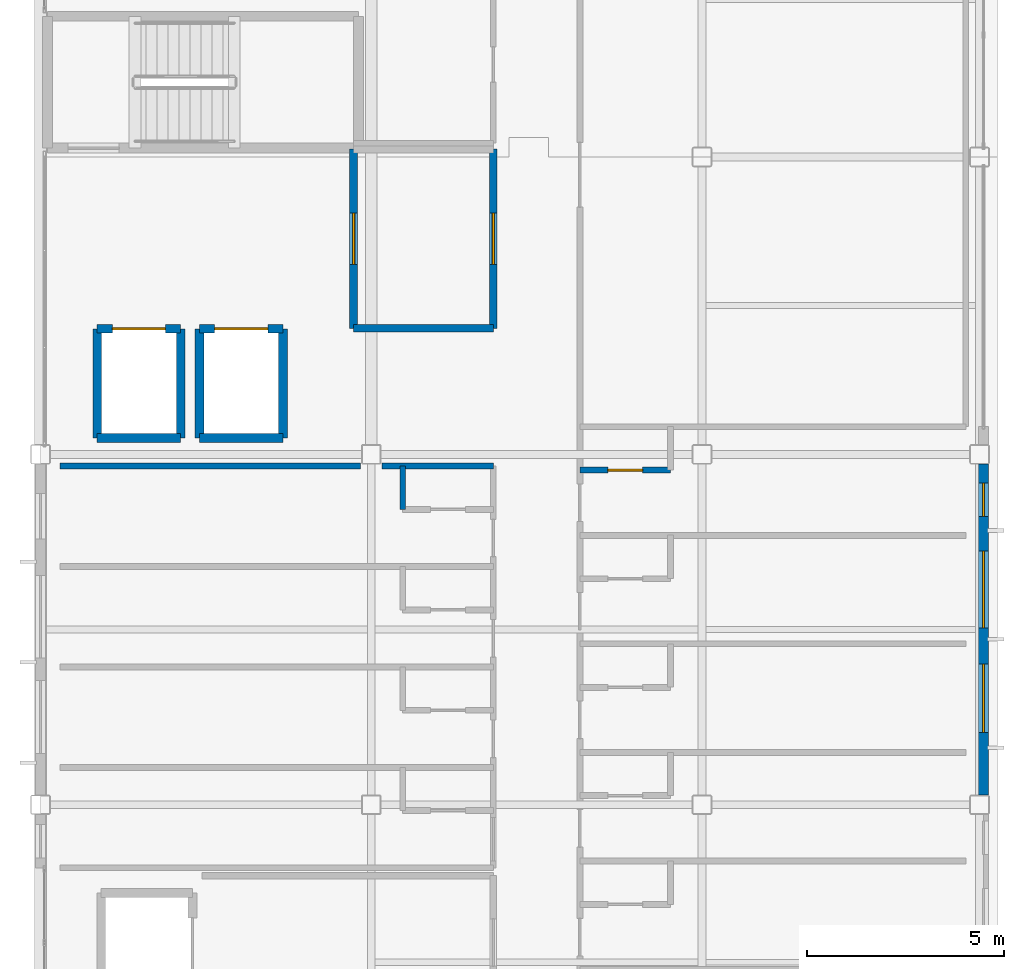
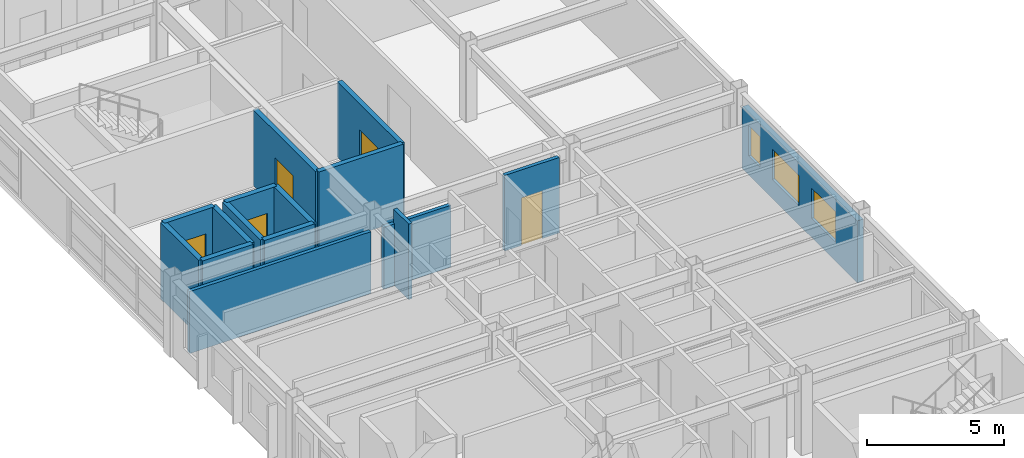
# One storey, part 26 of 35: 16 walls, 5 doors, 3 windows, 8 openings.
"""IFC4 building model written with IfcOpenShell, lengths in metres."""

import ifcopenshell
import ifcopenshell.guid

model = None  # the IFC model being written
_history = None  # IfcOwnerHistory: only IFC2X3 demands one
_inside = {}  # id of a spatial element -> (the spatial element, [elements in it])
_under = {}  # id of a project, library or spatial element -> (it, [spatial elements below it])
_declared = {}  # id of a project -> (the project, [libraries it declares])
_typed = {}  # id of a type object -> (the type object, [elements of that type])
_made_of = {}  # id of a material, layer set ... -> (it, [elements and type objects made of it])


def new_model(schema):
    """Start an empty IFC model of exactly this schema.

    Asked for "IFC4X3", IfcOpenShell would pick the latest addendum, in which some entities
    have other attributes; the version numbers below select the first issue.
    IFC2X3 requires an IfcOwnerHistory on every rooted entity: one is made here for all.
    """
    global model, _history
    if schema == "IFC4X3":
        model = ifcopenshell.file(schema_version=(4, 3, 0, 0))
    else:
        model = ifcopenshell.file(schema=schema)
    _inside.clear()
    _under.clear()
    _declared.clear()
    _typed.clear()
    _made_of.clear()
    _history = None
    if model.schema == "IFC2X3":
        org = make("IfcOrganization", Name="unknown")
        user = make(
            "IfcPersonAndOrganization",
            ThePerson=make("IfcPerson", FamilyName="unknown"),
            TheOrganization=org,
        )
        app = make(
            "IfcApplication",
            ApplicationDeveloper=org,
            Version="unknown",
            ApplicationFullName="unknown",
            ApplicationIdentifier="unknown",
        )
        _history = make(
            "IfcOwnerHistory",
            OwningUser=user,
            OwningApplication=app,
            ChangeAction="ADDED",
            CreationDate=0,
        )
    return model


def make(cls, **values):
    """One entity of the class cls with the attributes given. An attribute that is None is left unset."""
    return model.create_entity(
        cls, **{name: value for name, value in values.items() if value is not None}
    )


def rooted(cls, **values):
    """An entity with a GlobalId (a new one), such as an element, a storey or a relation."""
    return make(cls, GlobalId=ifcopenshell.guid.new(), OwnerHistory=_history, **values)


def si_unit(unit_type, name, prefix=None):
    """IfcSIUnit, for example si_unit("LENGTHUNIT", "METRE", prefix="MILLI")."""
    return make("IfcSIUnit", UnitType=unit_type, Prefix=prefix, Name=name)


def assignment(units):
    """IfcUnitAssignment: the units of a project."""
    return None if units is None else make("IfcUnitAssignment", Units=units)


def point(xyz):
    """IfcCartesianPoint."""
    return None if xyz is None else make("IfcCartesianPoint", Coordinates=xyz)


def direction(xyz):
    """IfcDirection."""
    return None if xyz is None else make("IfcDirection", DirectionRatios=xyz)


def frame(location, z_axis=None, x_axis=None):
    """IfcAxis2Placement3D, a coordinate frame: its origin and axes. An axis left out is left unset."""
    return make(
        "IfcAxis2Placement3D",
        Location=point(location),
        Axis=direction(z_axis),
        RefDirection=direction(x_axis),
    )


def frame_2d(location, x_axis=None):
    """IfcAxis2Placement2D, a coordinate frame in the plane: its origin and x axis."""
    return make(
        "IfcAxis2Placement2D", Location=point(location), RefDirection=direction(x_axis)
    )


def origin():
    """The frame at (0, 0, 0) with its axes left unset."""
    return frame((0.0, 0.0, 0.0))


def place(relative_to, where):
    """IfcLocalPlacement: puts the frame where relative to a parent placement (None: the world)."""
    return make(
        "IfcLocalPlacement", PlacementRelTo=relative_to, RelativePlacement=where
    )


def context(
    kind, dimensions, precision=None, world=None, true_north=None, identifier=None
):
    """IfcGeometricRepresentationContext, for example the 3D "Model" context."""
    return make(
        "IfcGeometricRepresentationContext",
        ContextIdentifier=identifier,
        ContextType=kind,
        CoordinateSpaceDimension=dimensions,
        Precision=precision,
        WorldCoordinateSystem=world,
        TrueNorth=true_north,
    )


def subcontext(parent, identifier, kind, view, scale=None):
    """IfcGeometricRepresentationSubContext, for example "Body" below "Model"."""
    return make(
        "IfcGeometricRepresentationSubContext",
        ContextIdentifier=identifier,
        ContextType=kind,
        ParentContext=parent,
        TargetScale=scale,
        TargetView=view,
    )


def project(units=None, contexts=None):
    """IfcProject with its units and contexts."""
    return rooted(
        "IfcProject",
        Name="project",
        RepresentationContexts=contexts,
        UnitsInContext=assignment(units),
    )


def spatial(cls, under=None, at=None, **own):
    """A site, building, storey or space (cls), placed at a placement, below another one or the project."""
    s = rooted(cls, ObjectPlacement=at, **own)
    if under is not None:
        _under.setdefault(under.id(), (under, []))[1].append(s)
    return s


def profile(cls, at=None, kind="AREA", **sizes):
    """A parametric profile (cls). Its sizes go by their IFC names, for example OverallWidth=200.0."""
    return make(cls, ProfileType=kind, Position=at, **sizes)


def rectangle(**sizes):
    """IfcRectangleProfileDef."""
    return profile("IfcRectangleProfileDef", **sizes)


def extrude(swept, where, along, depth):
    """IfcExtrudedAreaSolid: the profile swept, set in the frame where, extruded along a direction by depth."""
    return make(
        "IfcExtrudedAreaSolid",
        SweptArea=swept,
        Position=where,
        ExtrudedDirection=direction(along),
        Depth=depth,
    )


def shape(context_of_items, identifier, shape_type, items):
    """IfcShapeRepresentation: the items that make up one representation, for example the "Body"."""
    return make(
        "IfcShapeRepresentation",
        ContextOfItems=context_of_items,
        RepresentationIdentifier=identifier,
        RepresentationType=shape_type,
        Items=items,
    )


def material(Name=None, Category=None):
    """IfcMaterial."""
    return make("IfcMaterial", Name=Name, Category=Category)


def layer(
    of_material, thickness, ventilated=None, Name=None, Category=None, Priority=None
):
    """IfcMaterialLayer: one layer of a wall or slab, of a material (None: an air gap)."""
    return make(
        "IfcMaterialLayer",
        Material=of_material,
        LayerThickness=thickness,
        IsVentilated=ventilated,
        Name=Name,
        Category=Category,
        Priority=Priority,
    )


def layer_set(layers, Name=None):
    """IfcMaterialLayerSet."""
    return make("IfcMaterialLayerSet", MaterialLayers=layers, LayerSetName=Name)


def made_of(thing, what):
    """Note that an element or type object is made of a material, layer set ...; save() writes the relation."""
    if what is not None:
        _made_of.setdefault(what.id(), (what, []))[1].append(thing)
    return thing


def type_object(cls, material=None, **own):
    """A type object (cls), such as IfcWallType, which elements share."""
    return made_of(rooted(cls, **own), material)


def element(
    cls,
    number,
    at=None,
    inside=None,
    cuts=None,
    type_object=None,
    material=None,
    context=None,
    identifier="Body",
    shape_type=None,
    held_by="IfcProductDefinitionShape",
    body=None,
    shapes=None,
    **own,
):
    """One element of the class cls, such as IfcWall. Its Tag is "e" and its number.

    at: its placement. inside: the storey or other place that contains it. cuts: it is an
    opening in that element (IfcRelVoidsElement). A single representation is given by context,
    identifier, shape_type and body (its items); several are given by shapes. held_by: the class
    of the entity that holds the representations. save() writes the other relations.
    """
    e = rooted(cls, Tag="e%d" % number, ObjectPlacement=at, **own)
    if body is not None:
        shapes = [shape(context, identifier, shape_type, body)]
    if shapes is not None:
        e.Representation = make(held_by, Representations=shapes)
    if inside is not None:
        _inside.setdefault(inside.id(), (inside, []))[1].append(e)
    if cuts is not None:
        rooted(
            "IfcRelVoidsElement", RelatingBuildingElement=cuts, RelatedOpeningElement=e
        )
    if type_object is not None:
        _typed.setdefault(type_object.id(), (type_object, []))[1].append(e)
    return made_of(e, material)


def fill(opening, filler):
    """IfcRelFillsElement: the door or window that sits in an opening."""
    return rooted(
        "IfcRelFillsElement",
        RelatingOpeningElement=opening,
        RelatedBuildingElement=filler,
    )


def aggregate(whole, parts):
    """IfcRelAggregates: a whole, such as a stair, and the parts it consists of."""
    return rooted("IfcRelAggregates", RelatingObject=whole, RelatedObjects=parts)


def save(model, path):
    """Write the relations noted so far, then the file.

    IfcRelAggregates (storeys below a building ...), IfcRelContainedInSpatialStructure (elements
    in a storey), IfcRelDefinesByType, IfcRelAssociatesMaterial and IfcRelDeclares: one each for
    every whole, place, type object, material and project.
    """
    for whole, parts in _under.values():
        aggregate(whole, parts)
    for where, things in _inside.values():
        rooted(
            "IfcRelContainedInSpatialStructure",
            RelatedElements=things,
            RelatingStructure=where,
        )
    for kind, things in _typed.values():
        rooted("IfcRelDefinesByType", RelatedObjects=things, RelatingType=kind)
    for what, things in _made_of.values():
        rooted("IfcRelAssociatesMaterial", RelatedObjects=things, RelatingMaterial=what)
    for by, libraries in _declared.values():
        rooted("IfcRelDeclares", RelatingContext=by, RelatedDefinitions=libraries)
    model.write(path)


model = new_model("IFC4")

# Units and contexts
model_context = context("Model", 3, precision=1e-05, world=origin(), true_north=direction((0.0, 1.0)))
body_context = subcontext(model_context, "Body", "Model", "MODEL_VIEW")
ifc_project = project(units=[si_unit("LENGTHUNIT", "METRE"), si_unit("AREAUNIT", "SQUARE_METRE"), si_unit("VOLUMEUNIT", "CUBIC_METRE"), si_unit("PLANEANGLEUNIT", "RADIAN"), si_unit("MASSUNIT", "GRAM", prefix="KILO")], contexts=[model_context])

# Site, building, storey
site_placement = place(None, origin())
site = spatial("IfcSite", under=ifc_project, at=site_placement, CompositionType="ELEMENT")
building_placement = place(site_placement, origin())
building = spatial("IfcBuilding", under=site, at=building_placement, Name="Kazehara Bluff Congress Hotel", CompositionType="ELEMENT")
storey_placement = place(building_placement, frame((0.0, 0.0, 35.39990234375)))
storey = spatial("IfcBuildingStorey", under=building, at=storey_placement, Name="L08", CompositionType="ELEMENT", Elevation=35.39990234375)

# Wall, openings, windows
ifc_material_1 = material(Name="Precast concrete C40/50", Category="concrete")
ifc_layer_1 = layer(ifc_material_1, 0.260009765625)
ifc_layer_set_1 = layer_set([ifc_layer_1], Name="Precast concrete C40/50")
wall_type_1 = type_object("IfcWallType", Name="TP-EW-260", PredefinedType="SOLIDWALL", material=ifc_layer_set_1)
wall_1_placement = place(storey_placement, frame((167.64990234375, 40.64990234375, 0.0), z_axis=(0.0, 0.0, 1.0), x_axis=(0.0, -1.0, 0.0)))
wall_1 = element("IfcWall", 1, at=wall_1_placement, inside=storey, type_object=wall_type_1, Name="L08 hotel facade panel 112", PredefinedType="SOLIDWALL", context=body_context, shape_type="SweptSolid", body=[
    extrude(rectangle(XDim=8.39990234375, YDim=0.260009765625, at=frame_2d((4.199951171875, 0.0))), origin(), (0.0, 0.0, 1.0), 2.755126953125),
])
opening_1_placement = place(wall_1_placement, frame((5.070068359375, 0.0, 0.85009765625)))
opening_1 = element("IfcOpeningElement", 2, at=opening_1_placement, cuts=wall_1, Name="Opening WN-31", PredefinedType="OPENING", context=body_context, shape_type="SweptSolid", body=[
    extrude(rectangle(XDim=1.75, YDim=1.35009765625, at=frame_2d((0.875, 0.675048828125))), frame((0.0, 0.139892578125, 0.0), z_axis=(0.0, -1.0, 0.0), x_axis=(1.0, 0.0, 0.0)), (0.0, 0.0, 1.0), 0.280029296875),
])
opening_2_placement = place(wall_1_placement, frame((2.2099609375, 0.0, 0.85009765625)))
opening_2 = element("IfcOpeningElement", 3, at=opening_2_placement, cuts=wall_1, Name="Opening WN-41", PredefinedType="OPENING", context=body_context, shape_type="SweptSolid", body=[
    extrude(rectangle(XDim=1.949951171875, YDim=1.35009765625, at=frame_2d((0.97509765625, 0.675048828125))), frame((0.0, 0.139892578125, 0.0), z_axis=(0.0, -1.0, 0.0), x_axis=(1.0, 0.0, 0.0)), (0.0, 0.0, 1.0), 0.280029296875),
])
opening_3_placement = place(wall_1_placement, frame((0.47509765625, 0.0, 0.85009765625)))
opening_3 = element("IfcOpeningElement", 4, at=opening_3_placement, cuts=wall_1, Name="Opening WN-55", PredefinedType="OPENING", context=body_context, shape_type="SweptSolid", body=[
    extrude(rectangle(XDim=0.85009765625, YDim=1.35009765625, at=frame_2d((0.425048828125, 0.675048828125))), frame((0.0, 0.139892578125, 0.0), z_axis=(0.0, -1.0, 0.0), x_axis=(1.0, 0.0, 0.0)), (0.0, 0.0, 1.0), 0.280029296875),
])
ifc_material_2 = material(Name="Insulated low-E double glazing", Category="glass")
window_type_1 = type_object("IfcWindowType", Name="TP-WN-31", PartitioningType="SINGLE_PANEL", PredefinedType="WINDOW", material=ifc_material_2)
window_1_placement = place(opening_1_placement, origin())
window_1 = element("IfcWindow", 5, at=window_1_placement, inside=storey, type_object=window_type_1, Name="L08 guestroom window WN-31 216", OverallHeight=1.35009765625, OverallWidth=1.75, PartitioningType="SINGLE_PANEL", PredefinedType="WINDOW", context=body_context, shape_type="SweptSolid", body=[
    extrude(rectangle(XDim=1.75, YDim=1.35009765625, at=frame_2d((0.875, 0.675048828125))), frame((0.0, 0.030029296875, 0.0), z_axis=(0.0, -1.0, 0.0), x_axis=(1.0, 0.0, 0.0)), (0.0, 0.0, 1.0), 0.06005859375),
])
fill(opening_1, window_1)
ifc_material_3 = material(Name="Insulated low-E double glazing", Category="glass")
window_type_2 = type_object("IfcWindowType", Name="TP-WN-41", PartitioningType="DOUBLE_PANEL_VERTICAL", PredefinedType="WINDOW", material=ifc_material_3)
window_2_placement = place(opening_2_placement, origin())
window_2 = element("IfcWindow", 6, at=window_2_placement, inside=storey, type_object=window_type_2, Name="L08 guestroom window WN-41 217", OverallHeight=1.35009765625, OverallWidth=1.949951171875, PartitioningType="SINGLE_PANEL", PredefinedType="WINDOW", context=body_context, shape_type="SweptSolid", body=[
    extrude(rectangle(XDim=1.949951171875, YDim=1.35009765625, at=frame_2d((0.97509765625, 0.675048828125))), frame((0.0, 0.030029296875, 0.0), z_axis=(0.0, -1.0, 0.0), x_axis=(1.0, 0.0, 0.0)), (0.0, 0.0, 1.0), 0.06005859375),
])
fill(opening_2, window_2)
ifc_material_4 = material(Name="Insulated low-E double glazing", Category="glass")
window_type_3 = type_object("IfcWindowType", Name="TP-WN-55", PartitioningType="SINGLE_PANEL", PredefinedType="WINDOW", material=ifc_material_4)
window_3_placement = place(opening_3_placement, origin())
window_3 = element("IfcWindow", 7, at=window_3_placement, inside=storey, type_object=window_type_3, Name="L08 guestroom window WN-55 218", OverallHeight=1.35009765625, OverallWidth=0.85009765625, PartitioningType="SINGLE_PANEL", PredefinedType="WINDOW", context=body_context, shape_type="SweptSolid", body=[
    extrude(rectangle(XDim=0.85009765625, YDim=1.35009765625, at=frame_2d((0.425048828125, 0.675048828125))), frame((0.0, 0.030029296875, 0.0), z_axis=(0.0, -1.0, 0.0), x_axis=(1.0, 0.0, 0.0)), (0.0, 0.0, 1.0), 0.06005859375),
])
fill(opening_3, window_3)

# Wall
ifc_material_5 = material(Name="Concrete C40/50", Category="concrete")
ifc_layer_2 = layer(ifc_material_5, 0.199951171875)
ifc_layer_set_2 = layer_set([ifc_layer_2], Name="Concrete C40/50")
wall_type_2 = type_object("IfcWallType", Name="TP-FW-RC", PredefinedType="SOLIDWALL", material=ifc_layer_set_2)
wall_2_placement = place(storey_placement, frame((151.64990234375, 44.10009765625, 0.0), z_axis=(0.0, 0.0, 1.0), x_axis=(1.0, 0.0, 0.0)))
element("IfcWall", 8, at=wall_2_placement, inside=storey, type_object=wall_type_2, Name="L08 partition FW-RC 1055", PredefinedType="SOLIDWALL", context=body_context, shape_type="SweptSolid", body=[
    extrude(rectangle(XDim=3.550048828125, YDim=0.199951171875, at=frame_2d((1.77490234375, 0.0))), origin(), (0.0, 0.0, 1.0), 3.364990234375),
])

# Wall, opening, door
wall_3_placement = place(storey_placement, frame((151.64990234375, 44.10009765625, 0.0), z_axis=(0.0, 0.0, 1.0), x_axis=(0.0, 1.0, 0.0)))
wall_3 = element("IfcWall", 9, at=wall_3_placement, inside=storey, type_object=wall_type_2, Name="L08 partition FW-RC 1110", PredefinedType="SOLIDWALL", context=body_context, shape_type="SweptSolid", body=[
    extrude(rectangle(XDim=4.5498046875, YDim=0.199951171875, at=frame_2d((2.27490234375, 0.0))), origin(), (0.0, 0.0, 1.0), 3.364990234375),
])
opening_4_placement = place(wall_3_placement, frame((1.625, 0.0, 0.0)))
opening_4 = element("IfcOpeningElement", 10, at=opening_4_placement, cuts=wall_3, Name="Opening FD-01", PredefinedType="OPENING", context=body_context, shape_type="SweptSolid", body=[
    extrude(rectangle(XDim=1.300048828125, YDim=2.199951171875, at=frame_2d((0.64990234375, 1.10009765625))), frame((0.0, 0.10986328125, 0.0), z_axis=(0.0, -1.0, 0.0), x_axis=(1.0, 0.0, 0.0)), (0.0, 0.0, 1.0), 0.219970703125),
])
ifc_material_6 = material(Name="Fire-rated painted steel leaf", Category="steel")
door_type_1 = type_object("IfcDoorType", Name="TP-FD-01", OperationType="NOTDEFINED", PredefinedType="DOOR", material=ifc_material_6)
door_1_placement = place(opening_4_placement, origin())
door_1 = element("IfcDoor", 11, at=door_1_placement, inside=storey, type_object=door_type_1, Name="L08 Emergency Firefighting Lobby door", OperationType="SINGLE_SWING_LEFT", OverallHeight=2.199951171875, OverallWidth=1.300048828125, PredefinedType="DOOR", context=body_context, shape_type="SweptSolid", body=[
    extrude(rectangle(XDim=1.300048828125, YDim=2.199951171875, at=frame_2d((0.64990234375, 1.10009765625))), frame((0.0, 0.02490234375, 0.0), z_axis=(0.0, -1.0, 0.0), x_axis=(1.0, 0.0, 0.0)), (0.0, 0.0, 1.0), 0.050048828125),
])
fill(opening_4, door_1)

wall_4_placement = place(storey_placement, frame((155.199951171875, 44.10009765625, 0.0), z_axis=(0.0, 0.0, 1.0), x_axis=(0.0, 1.0, 0.0)))
wall_4 = element("IfcWall", 12, at=wall_4_placement, inside=storey, type_object=wall_type_2, Name="L08 partition FW-RC 1135", PredefinedType="SOLIDWALL", context=body_context, shape_type="SweptSolid", body=[
    extrude(rectangle(XDim=4.5498046875, YDim=0.199951171875, at=frame_2d((2.27490234375, 0.0))), origin(), (0.0, 0.0, 1.0), 3.364990234375),
])
opening_5_placement = place(wall_4_placement, frame((1.625, 0.0, 0.0)))
opening_5 = element("IfcOpeningElement", 13, at=opening_5_placement, cuts=wall_4, Name="Opening FD-01", PredefinedType="OPENING", context=body_context, shape_type="SweptSolid", body=[
    extrude(rectangle(XDim=1.300048828125, YDim=2.199951171875, at=frame_2d((0.64990234375, 1.10009765625))), frame((0.0, 0.10986328125, 0.0), z_axis=(0.0, -1.0, 0.0), x_axis=(1.0, 0.0, 0.0)), (0.0, 0.0, 1.0), 0.219970703125),
])
door_2_placement = place(opening_5_placement, origin())
door_2 = element("IfcDoor", 14, at=door_2_placement, inside=storey, type_object=door_type_1, Name="L08 Smoke Vestibule Lobby door", OperationType="SINGLE_SWING_RIGHT", OverallHeight=2.199951171875, OverallWidth=1.300048828125, PredefinedType="DOOR", context=body_context, shape_type="SweptSolid", body=[
    extrude(rectangle(XDim=1.300048828125, YDim=2.199951171875, at=frame_2d((0.64990234375, 1.10009765625))), frame((0.0, 0.02490234375, 0.0), z_axis=(0.0, -1.0, 0.0), x_axis=(1.0, 0.0, 0.0)), (0.0, 0.0, 1.0), 0.050048828125),
])
fill(opening_5, door_2)

ifc_material_7 = material(Name="Fire-rated gypsum board stud partition")
ifc_layer_3 = layer(ifc_material_7, 0.14990234375)
ifc_layer_set_3 = layer_set([ifc_layer_3], Name="Fire-rated gypsum board stud partition")
wall_type_3 = type_object("IfcWallType", Name="TP-PT-150", PredefinedType="PARTITIONING", material=ifc_layer_set_3)
wall_5_placement = place(storey_placement, frame((157.39990234375, 40.5, 0.0), z_axis=(0.0, 0.0, 1.0), x_axis=(1.0, 0.0, 0.0)))
wall_5 = element("IfcWall", 15, at=wall_5_placement, inside=storey, type_object=wall_type_3, Name="L08 partition PT-150 1051", PredefinedType="PARTITIONING", context=body_context, shape_type="SweptSolid", body=[
    extrude(rectangle(XDim=2.300048828125, YDim=0.14990234375, at=frame_2d((1.14990234375, 0.0))), origin(), (0.0, 0.0, 1.0), 3.364990234375),
])
opening_6_placement = place(wall_5_placement, frame((0.7099609375, 0.0, 0.0)))
opening_6 = element("IfcOpeningElement", 16, at=opening_6_placement, cuts=wall_5, Name="Opening BD-02", PredefinedType="OPENING", context=body_context, shape_type="SweptSolid", body=[
    extrude(rectangle(XDim=0.8798828125, YDim=2.1201171875, at=frame_2d((0.43994140625, 1.06005859375))), frame((0.0, 0.0849609375, 0.0), z_axis=(0.0, -1.0, 0.0), x_axis=(1.0, 0.0, 0.0)), (0.0, 0.0, 1.0), 0.169921875),
])
ifc_material_8 = material(Name="Architectural oak veneer leaf")
door_type_2 = type_object("IfcDoorType", Name="TP-BD-02", OperationType="NOTDEFINED", PredefinedType="DOOR", material=ifc_material_8)
door_3_placement = place(opening_6_placement, origin())
door_3 = element("IfcDoor", 17, at=door_3_placement, inside=storey, type_object=door_type_2, Name="L08 En-suite Bathroom 239 door", OperationType="SINGLE_SWING_LEFT", OverallHeight=2.1201171875, OverallWidth=0.8798828125, PredefinedType="DOOR", context=body_context, shape_type="SweptSolid", body=[
    extrude(rectangle(XDim=0.8798828125, YDim=2.1201171875, at=frame_2d((0.43994140625, 1.06005859375))), frame((0.0, 0.02490234375, 0.0), z_axis=(0.0, -1.0, 0.0), x_axis=(1.0, 0.0, 0.0)), (0.0, 0.0, 1.0), 0.050048828125),
])
fill(opening_6, door_3)

# Walls
wall_6_placement = place(storey_placement, frame((144.199951171875, 40.60009765625, 0.0), z_axis=(0.0, 0.0, 1.0), x_axis=(1.0, 0.0, 0.0)))
element("IfcWall", 18, at=wall_6_placement, inside=storey, type_object=wall_type_3, Name="L08 partition PT-150 1052", PredefinedType="PARTITIONING", context=body_context, shape_type="SweptSolid", body=[
    extrude(rectangle(XDim=7.630126953125, YDim=0.14990234375, at=frame_2d((3.81494140625, 0.0))), origin(), (0.0, 0.0, 1.0), 2.755126953125),
])
wall_7_placement = place(storey_placement, frame((152.3701171875, 40.60009765625, 0.0), z_axis=(0.0, 0.0, 1.0), x_axis=(1.0, 0.0, 0.0)))
element("IfcWall", 19, at=wall_7_placement, inside=storey, type_object=wall_type_3, Name="L08 partition PT-150 1053", PredefinedType="PARTITIONING", context=body_context, shape_type="SweptSolid", body=[
    extrude(rectangle(XDim=2.829833984375, YDim=0.14990234375, at=frame_2d((1.4150390625, 0.0))), origin(), (0.0, 0.0, 1.0), 2.755126953125),
])
wall_8_placement = place(storey_placement, frame((152.89990234375, 39.5, 0.0), z_axis=(0.0, 0.0, 1.0), x_axis=(0.0, 1.0, 0.0)))
element("IfcWall", 20, at=wall_8_placement, inside=storey, type_object=wall_type_3, Name="L08 partition PT-150 1120", PredefinedType="PARTITIONING", context=body_context, shape_type="SweptSolid", body=[
    extrude(rectangle(XDim=1.10009765625, YDim=0.14990234375, at=frame_2d((0.550048828125, 0.0))), origin(), (0.0, 0.0, 1.0), 3.364990234375),
])

# Wall, opening, door
ifc_material_9 = material(Name="Concrete C40/50", Category="concrete")
ifc_layer_4 = layer(ifc_material_9, 0.219970703125)
ifc_layer_set_4 = layer_set([ifc_layer_4], Name="Concrete C40/50")
wall_type_4 = type_object("IfcWallType", Name="TP-SW-RC", PredefinedType="SHEAR", material=ifc_layer_set_4)
wall_9_placement = place(storey_placement, frame((145.139892578125, 44.0849609375, 0.0), z_axis=(0.0, 0.0, 1.0), x_axis=(1.0, 0.0, 0.0)))
wall_9 = element("IfcWall", 21, at=wall_9_placement, inside=storey, type_object=wall_type_4, Name="L08 EL-E1 lift shaft wall +Y", PredefinedType="SHEAR", context=body_context, shape_type="SweptSolid", body=[
    extrude(rectangle(XDim=2.1201171875, YDim=0.219970703125, at=frame_2d((1.06005859375, 0.0))), origin(), (0.0, 0.0, 1.0), 3.380126953125),
])
opening_7_placement = place(wall_9_placement, frame((0.385009765625, 0.0, 0.0)))
opening_7 = element("IfcOpeningElement", 22, at=opening_7_placement, cuts=wall_9, Name="Opening LD-03", PredefinedType="OPENING", context=body_context, shape_type="SweptSolid", body=[
    extrude(rectangle(XDim=1.35009765625, YDim=2.300048828125, at=frame_2d((0.675048828125, 1.14990234375))), frame((0.0, 0.119873046875, 0.0), z_axis=(0.0, -1.0, 0.0), x_axis=(1.0, 0.0, 0.0)), (0.0, 0.0, 1.0), 0.239990234375),
])
ifc_material_10 = material(Name="Fire-rated painted steel leaf", Category="steel")
door_type_3 = type_object("IfcDoorType", Name="TP-LD-03", OperationType="SLIDING_TO_LEFT", PredefinedType="DOOR", material=ifc_material_10)
door_4_placement = place(opening_7_placement, origin())
door_4 = element("IfcDoor", 23, at=door_4_placement, inside=storey, type_object=door_type_3, Name="L08 EL-E1 elevator landing door", OperationType="SLIDING_TO_LEFT", OverallHeight=2.300048828125, OverallWidth=1.35009765625, PredefinedType="DOOR", context=body_context, shape_type="SweptSolid", body=[
    extrude(rectangle(XDim=1.35009765625, YDim=2.300048828125, at=frame_2d((0.675048828125, 1.14990234375))), frame((0.0, 0.02490234375, 0.0), z_axis=(0.0, -1.0, 0.0), x_axis=(1.0, 0.0, 0.0)), (0.0, 0.0, 1.0), 0.050048828125),
])
fill(opening_7, door_4)

# Walls
wall_10_placement = place(storey_placement, frame((145.139892578125, 41.31494140625, 0.0), z_axis=(0.0, 0.0, 1.0), x_axis=(1.0, 0.0, 0.0)))
element("IfcWall", 24, at=wall_10_placement, inside=storey, type_object=wall_type_4, Name="L08 EL-E1 lift shaft wall -Y", PredefinedType="SHEAR", context=body_context, shape_type="SweptSolid", body=[
    extrude(rectangle(XDim=2.1201171875, YDim=0.219970703125, at=frame_2d((1.06005859375, 0.0))), origin(), (0.0, 0.0, 1.0), 3.380126953125),
])
for number, where, z_axis, x_axis, name in (
    (25, (147.260009765625, 41.31494140625, 0.0), (0.0, 0.0, 1.0), (0.0, 1.0, 0.0), "L08 EL-E1 lift shaft wall +X"),
    (26, (145.139892578125, 41.31494140625, 0.0), (0.0, 0.0, 1.0), (0.0, 1.0, 0.0), "L08 EL-E1 lift shaft wall -X"),
):
    element("IfcWall", number, at=place(storey_placement, frame(where, z_axis=z_axis, x_axis=x_axis)), inside=storey, type_object=wall_type_4, Name=name, PredefinedType="SHEAR", context=body_context, shape_type="SweptSolid", body=[
        extrude(rectangle(XDim=2.77001953125, YDim=0.219970703125, at=frame_2d((1.385009765625, 0.0))), origin(), (0.0, 0.0, 1.0), 3.380126953125),
    ])

# Wall, opening, door
wall_11_placement = place(storey_placement, frame((147.739990234375, 44.0849609375, 0.0), z_axis=(0.0, 0.0, 1.0), x_axis=(1.0, 0.0, 0.0)))
wall_11 = element("IfcWall", 27, at=wall_11_placement, inside=storey, type_object=wall_type_4, Name="L08 EL-E2 lift shaft wall +Y", PredefinedType="SHEAR", context=body_context, shape_type="SweptSolid", body=[
    extrude(rectangle(XDim=2.1201171875, YDim=0.219970703125, at=frame_2d((1.06005859375, 0.0))), origin(), (0.0, 0.0, 1.0), 3.380126953125),
])
opening_8_placement = place(wall_11_placement, frame((0.385009765625, 0.0, 0.0)))
opening_8 = element("IfcOpeningElement", 28, at=opening_8_placement, cuts=wall_11, Name="Opening LD-03", PredefinedType="OPENING", context=body_context, shape_type="SweptSolid", body=[
    extrude(rectangle(XDim=1.35009765625, YDim=2.300048828125, at=frame_2d((0.675048828125, 1.14990234375))), frame((0.0, 0.119873046875, 0.0), z_axis=(0.0, -1.0, 0.0), x_axis=(1.0, 0.0, 0.0)), (0.0, 0.0, 1.0), 0.239990234375),
])
door_5_placement = place(opening_8_placement, origin())
door_5 = element("IfcDoor", 29, at=door_5_placement, inside=storey, type_object=door_type_3, Name="L08 EL-E2 elevator landing door", OperationType="SLIDING_TO_LEFT", OverallHeight=2.300048828125, OverallWidth=1.35009765625, PredefinedType="DOOR", context=body_context, shape_type="SweptSolid", body=[
    extrude(rectangle(XDim=1.35009765625, YDim=2.300048828125, at=frame_2d((0.675048828125, 1.14990234375))), frame((0.0, 0.02490234375, 0.0), z_axis=(0.0, -1.0, 0.0), x_axis=(1.0, 0.0, 0.0)), (0.0, 0.0, 1.0), 0.050048828125),
])
fill(opening_8, door_5)

# Walls
wall_12_placement = place(storey_placement, frame((147.739990234375, 41.31494140625, 0.0), z_axis=(0.0, 0.0, 1.0), x_axis=(1.0, 0.0, 0.0)))
element("IfcWall", 30, at=wall_12_placement, inside=storey, type_object=wall_type_4, Name="L08 EL-E2 lift shaft wall -Y", PredefinedType="SHEAR", context=body_context, shape_type="SweptSolid", body=[
    extrude(rectangle(XDim=2.1201171875, YDim=0.219970703125, at=frame_2d((1.06005859375, 0.0))), origin(), (0.0, 0.0, 1.0), 3.380126953125),
])
for number, where, z_axis, x_axis, name in (
    (31, (149.860107421875, 41.31494140625, 0.0), (0.0, 0.0, 1.0), (0.0, 1.0, 0.0), "L08 EL-E2 lift shaft wall +X"),
    (32, (147.739990234375, 41.31494140625, 0.0), (0.0, 0.0, 1.0), (0.0, 1.0, 0.0), "L08 EL-E2 lift shaft wall -X"),
):
    element("IfcWall", number, at=place(storey_placement, frame(where, z_axis=z_axis, x_axis=x_axis)), inside=storey, type_object=wall_type_4, Name=name, PredefinedType="SHEAR", context=body_context, shape_type="SweptSolid", body=[
        extrude(rectangle(XDim=2.77001953125, YDim=0.219970703125, at=frame_2d((1.385009765625, 0.0))), origin(), (0.0, 0.0, 1.0), 3.380126953125),
    ])

save(model, "model.ifc")
